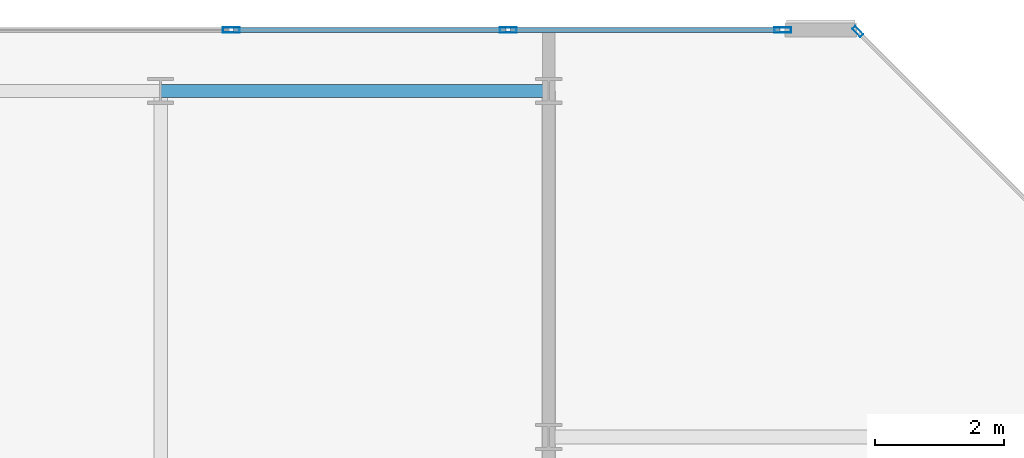
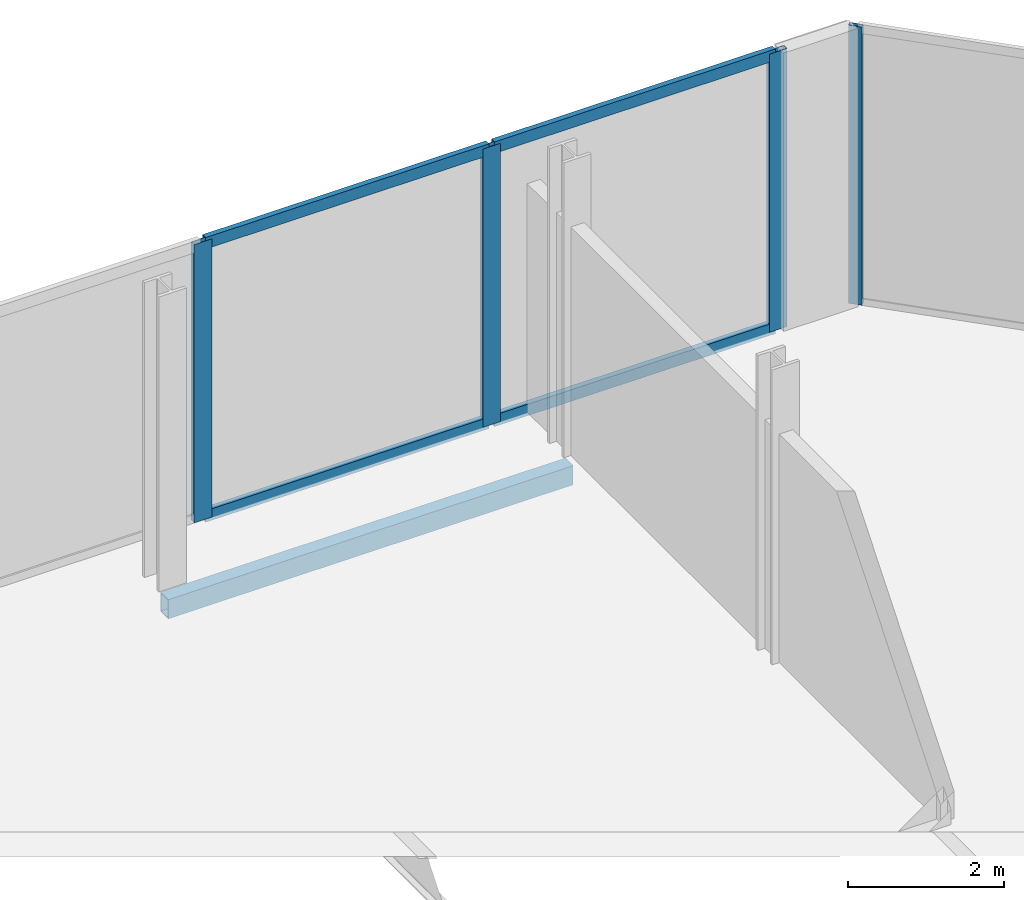
# One storey, part 12 of 16: 8 members, 1 beam, 2 elements without a shape of their own.
"""IFC4 building model written with IfcOpenShell, lengths in metres."""

from ifc_helpers import new_model, si_unit, direction, frame, origin, origin_2d, place, context, subcontext, project, spatial, hollow_rectangle, extrude, material, layer, layer_set, material_profile, profile_set, type_object, element, aggregate, save


model = new_model("IFC4")

# Units and contexts
model_context = context("Model", 3, precision=1e-05, world=origin(), true_north=direction((0.0, 1.0)))
body_context = subcontext(model_context, "Body", "Model", "MODEL_VIEW")
ifc_project = project(units=[si_unit("LENGTHUNIT", "METRE"), si_unit("AREAUNIT", "SQUARE_METRE"), si_unit("VOLUMEUNIT", "CUBIC_METRE"), si_unit("PLANEANGLEUNIT", "RADIAN"), si_unit("MASSUNIT", "GRAM", prefix="KILO")], contexts=[model_context])

# Site, building, storey
site_placement = place(None, origin())
site = spatial("IfcSite", under=ifc_project, at=site_placement, CompositionType="ELEMENT")
building_placement = place(site_placement, origin())
building = spatial("IfcBuilding", under=site, at=building_placement, Name="Tanjung Sevakor Pilgrim Tower", CompositionType="ELEMENT")
storey_placement = place(building_placement, frame((0.0, 0.0, 283.139892578125)))
storey = spatial("IfcBuildingStorey", under=building, at=storey_placement, Name="L79", CompositionType="ELEMENT", Elevation=283.139892578125)

# Beam
ifc_material_1 = material(Name="Steel S355J2", Category="steel")
ifc_material_profile_1 = material_profile(ifc_material_1, hollow_rectangle(XDim=0.199951171875, YDim=0.300048828125, WallThickness=0.012451171875, at=origin_2d()))
ifc_profile_set_1 = profile_set([ifc_material_profile_1], Name="Steel S355J2")
beam_type = type_object("IfcBeamType", Name="BM-B-SP3-RHS_300x200x12.5", PredefinedType="SPANDREL", material=ifc_profile_set_1)
beam_placement = place(storey_placement, frame((84.0, 53.949951171875, -0.409912109375), z_axis=(1.0, 0.0, 0.0), x_axis=(0.0, 1.0, 0.0)))
element("IfcBeam", 1, at=beam_placement, inside=storey, type_object=beam_type, Name="L79 Spandrel EAST N-06", PredefinedType="SPANDREL", context=body_context, shape_type="SweptSolid", body=[
    extrude(hollow_rectangle(XDim=0.199951171875, YDim=0.300048828125, WallThickness=0.012451171875, at=origin_2d()), origin(), (0.0, 0.0, 1.0), 6.0),
])

# Curtain wall, member
ifc_material_2 = material(Name="Aluminium 6063-T6 and Low-E Glass", Category="aluminium")
ifc_layer_1 = layer(ifc_material_2, 0.179931640625)
ifc_layer_set_1 = layer_set([ifc_layer_1], Name="CW-SYS-CHAM")
curtain_wall_type_1 = type_object("IfcCurtainWallType", Name="CW-SYS-CHAM", PredefinedType="NOTDEFINED", material=ifc_layer_set_1)
curtain_wall_1_placement = place(storey_placement, origin())
curtain_wall_1 = element("IfcCurtainWall", 2, at=curtain_wall_1_placement, inside=storey, type_object=curtain_wall_type_1, Name="L79 Curtain Wall CW-CHM-L79-EAST-3", PredefinedType="NOTDEFINED")
ifc_material_3 = material(Name="Aluminium 6063-T6", Category="aluminium")
ifc_material_profile_2 = material_profile(ifc_material_3, hollow_rectangle(XDim=0.06494140625, YDim=0.179931640625, WallThickness=0.00390625, at=origin_2d()))
ifc_profile_set_2 = profile_set([ifc_material_profile_2], Name="Aluminium 6063-T6")
member_type_1 = type_object("IfcMemberType", Name="TYPE-CWM-1", PredefinedType="MULLION", material=ifc_profile_set_2)
member_1_placement = place(storey_placement, frame((94.77734375, 54.866943359375, 0.0), z_axis=(0.0, 0.0, 1.0), x_axis=(-0.707106781187, -0.707106781187, 0.0)))
member_1 = element("IfcMember", 3, at=member_1_placement, type_object=member_type_1, Name="CW-CHM mullion 2", PredefinedType="MULLION", context=body_context, shape_type="SweptSolid", body=[
    extrude(hollow_rectangle(XDim=0.06494140625, YDim=0.179931640625, WallThickness=0.00390625, at=origin_2d()), origin(), (0.0, 0.0, 1.0), 4.360107421875),
])
aggregate(curtain_wall_1, [member_1])

# Curtain wall, members
ifc_material_4 = material(Name="Aluminium 6063-T6 and Low-E Glass", Category="aluminium")
ifc_layer_2 = layer(ifc_material_4, 0.219970703125)
ifc_layer_set_2 = layer_set([ifc_layer_2], Name="CW-SYS-CRNE")
curtain_wall_type_2 = type_object("IfcCurtainWallType", Name="CW-SYS-CRNE", PredefinedType="NOTDEFINED", material=ifc_layer_set_2)
curtain_wall_2_placement = place(storey_placement, origin())
curtain_wall_2 = element("IfcCurtainWall", 4, at=curtain_wall_2_placement, inside=storey, type_object=curtain_wall_type_2, Name="L79 Curtain Wall CW-CRN-L79-EAST-4-1", PredefinedType="NOTDEFINED")
ifc_material_5 = material(Name="Aluminium 6063-T6", Category="aluminium")
ifc_material_profile_3 = material_profile(ifc_material_5, hollow_rectangle(XDim=0.080078125, YDim=0.260009765625, WallThickness=0.0048828125, at=origin_2d()))
ifc_profile_set_3 = profile_set([ifc_material_profile_3], Name="Aluminium 6063-T6")
member_type_2 = type_object("IfcMemberType", Name="TYPE-CWM-3", PredefinedType="MULLION", material=ifc_profile_set_3)
member_2_placement = place(storey_placement, frame((93.614501953125, 54.889892578125, 0.0), z_axis=(0.0, 0.0, 1.0), x_axis=(0.0, -1.0, 0.0)))
member_2 = element("IfcMember", 5, at=member_2_placement, type_object=member_type_2, Name="CW-CRE mullion 1", PredefinedType="MULLION", context=body_context, shape_type="SweptSolid", body=[
    extrude(hollow_rectangle(XDim=0.080078125, YDim=0.260009765625, WallThickness=0.0048828125, at=origin_2d()), origin(), (0.0, 0.0, 1.0), 4.360107421875),
])
member_3_placement = place(storey_placement, frame((89.37255859375, 54.889892578125, 0.0), z_axis=(0.0, 0.0, 1.0), x_axis=(0.0, -1.0, 0.0)))
member_3 = element("IfcMember", 6, at=member_3_placement, type_object=member_type_2, Name="CW-CRE mullion 2", PredefinedType="MULLION", context=body_context, shape_type="SweptSolid", body=[
    extrude(hollow_rectangle(XDim=0.080078125, YDim=0.260009765625, WallThickness=0.0048828125, at=origin_2d()), origin(), (0.0, 0.0, 1.0), 4.360107421875),
])
member_4_placement = place(storey_placement, frame((85.0908203125, 54.889892578125, 0.0), z_axis=(0.0, 0.0, 1.0), x_axis=(0.0, -1.0, 0.0)))
member_4 = element("IfcMember", 7, at=member_4_placement, type_object=member_type_2, Name="CW-CRE mullion 3", PredefinedType="MULLION", context=body_context, shape_type="SweptSolid", body=[
    extrude(hollow_rectangle(XDim=0.080078125, YDim=0.260009765625, WallThickness=0.0048828125, at=origin_2d()), origin(), (0.0, 0.0, 1.0), 4.360107421875),
])
ifc_material_6 = material(Name="Aluminium 6063-T6", Category="aluminium")
ifc_material_profile_4 = material_profile(ifc_material_6, hollow_rectangle(XDim=0.080078125, YDim=0.179931640625, WallThickness=0.0048828125, at=origin_2d()))
ifc_profile_set_4 = profile_set([ifc_material_profile_4], Name="Aluminium 6063-T6")
member_type_3 = type_object("IfcMemberType", Name="TYPE-CWT-3", PredefinedType="USERDEFINED", material=ifc_profile_set_4)
member_5_placement = place(storey_placement, frame((93.574462890625, 54.889892578125, 0.0400390625), z_axis=(-1.0, 0.0, 0.0), x_axis=(0.0, -1.0, 0.0)))
member_5 = element("IfcMember", 8, at=member_5_placement, type_object=member_type_3, Name="CW-CRE transom 1.1", ObjectType="TRANSOM", PredefinedType="USERDEFINED", context=body_context, shape_type="SweptSolid", body=[
    extrude(hollow_rectangle(XDim=0.080078125, YDim=0.179931640625, WallThickness=0.0048828125, at=origin_2d()), origin(), (0.0, 0.0, 1.0), 4.161865234375),
])
member_6_placement = place(storey_placement, frame((93.574462890625, 54.889892578125, 4.320068359375), z_axis=(-1.0, 0.0, 0.0), x_axis=(0.0, -1.0, 0.0)))
member_6 = element("IfcMember", 9, at=member_6_placement, type_object=member_type_3, Name="CW-CRE transom 1.2", ObjectType="TRANSOM", PredefinedType="USERDEFINED", context=body_context, shape_type="SweptSolid", body=[
    extrude(hollow_rectangle(XDim=0.080078125, YDim=0.179931640625, WallThickness=0.0048828125, at=origin_2d()), origin(), (0.0, 0.0, 1.0), 4.161865234375),
])
member_7_placement = place(storey_placement, frame((89.33251953125, 54.889892578125, 0.0400390625), z_axis=(-1.0, 0.0, 0.0), x_axis=(0.0, -1.0, 0.0)))
member_7 = element("IfcMember", 10, at=member_7_placement, type_object=member_type_3, Name="CW-CRE transom 2.1", ObjectType="TRANSOM", PredefinedType="USERDEFINED", context=body_context, shape_type="SweptSolid", body=[
    extrude(hollow_rectangle(XDim=0.080078125, YDim=0.179931640625, WallThickness=0.0048828125, at=origin_2d()), origin(), (0.0, 0.0, 1.0), 4.20166015625),
])
member_8_placement = place(storey_placement, frame((89.33251953125, 54.889892578125, 4.320068359375), z_axis=(-1.0, 0.0, 0.0), x_axis=(0.0, -1.0, 0.0)))
member_8 = element("IfcMember", 11, at=member_8_placement, type_object=member_type_3, Name="CW-CRE transom 2.2", ObjectType="TRANSOM", PredefinedType="USERDEFINED", context=body_context, shape_type="SweptSolid", body=[
    extrude(hollow_rectangle(XDim=0.080078125, YDim=0.179931640625, WallThickness=0.0048828125, at=origin_2d()), origin(), (0.0, 0.0, 1.0), 4.20166015625),
])
aggregate(curtain_wall_2, [member_2, member_3, member_4, member_5, member_6, member_7, member_8])

save(model, "model.ifc")
